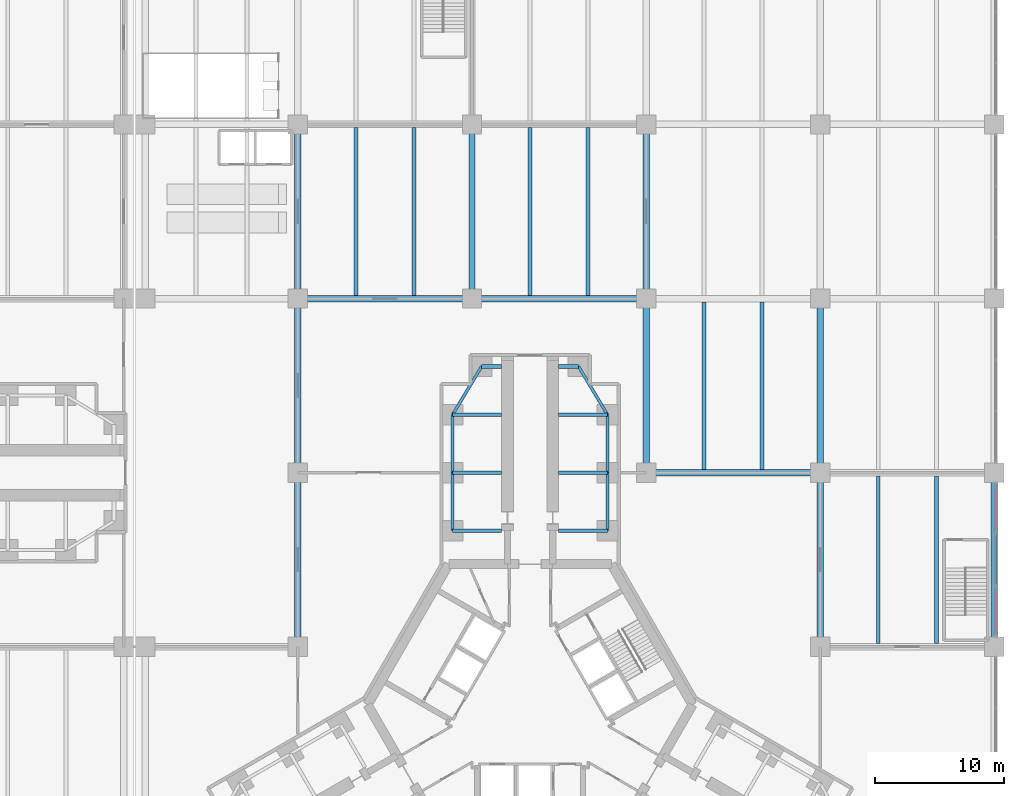
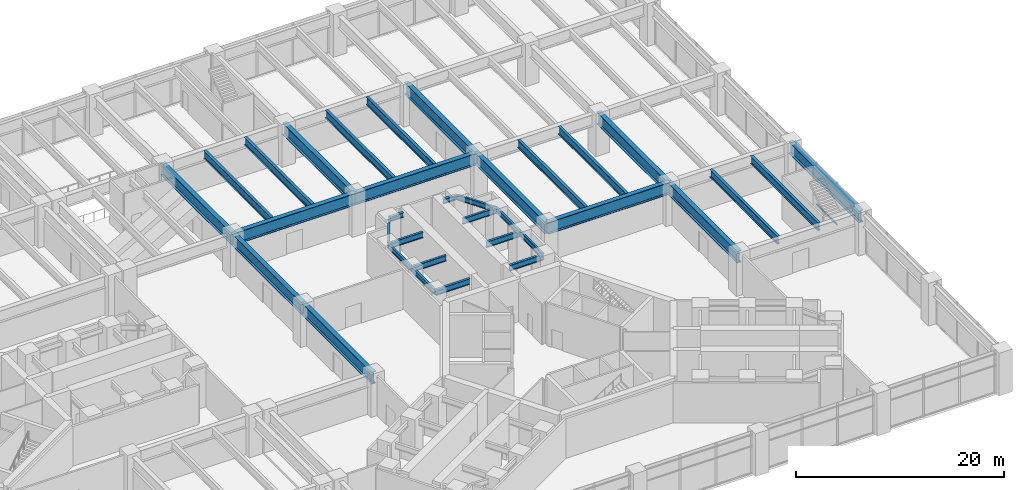
# One storey, part 11 of 32: 34 beams, 1 member, 1 element without a shape of its own.
"""IFC4 building model written with IfcOpenShell, lengths in metres."""

import ifcopenshell
import ifcopenshell.guid

model = None  # the IFC model being written
_history = None  # IfcOwnerHistory: only IFC2X3 demands one
_inside = {}  # id of a spatial element -> (the spatial element, [elements in it])
_under = {}  # id of a project, library or spatial element -> (it, [spatial elements below it])
_declared = {}  # id of a project -> (the project, [libraries it declares])
_typed = {}  # id of a type object -> (the type object, [elements of that type])
_made_of = {}  # id of a material, layer set ... -> (it, [elements and type objects made of it])


def new_model(schema):
    """Start an empty IFC model of exactly this schema.

    Asked for "IFC4X3", IfcOpenShell would pick the latest addendum, in which some entities
    have other attributes; the version numbers below select the first issue.
    IFC2X3 requires an IfcOwnerHistory on every rooted entity: one is made here for all.
    """
    global model, _history
    if schema == "IFC4X3":
        model = ifcopenshell.file(schema_version=(4, 3, 0, 0))
    else:
        model = ifcopenshell.file(schema=schema)
    _inside.clear()
    _under.clear()
    _declared.clear()
    _typed.clear()
    _made_of.clear()
    _history = None
    if model.schema == "IFC2X3":
        org = make("IfcOrganization", Name="unknown")
        user = make(
            "IfcPersonAndOrganization",
            ThePerson=make("IfcPerson", FamilyName="unknown"),
            TheOrganization=org,
        )
        app = make(
            "IfcApplication",
            ApplicationDeveloper=org,
            Version="unknown",
            ApplicationFullName="unknown",
            ApplicationIdentifier="unknown",
        )
        _history = make(
            "IfcOwnerHistory",
            OwningUser=user,
            OwningApplication=app,
            ChangeAction="ADDED",
            CreationDate=0,
        )
    return model


def make(cls, **values):
    """One entity of the class cls with the attributes given. An attribute that is None is left unset."""
    return model.create_entity(
        cls, **{name: value for name, value in values.items() if value is not None}
    )


def rooted(cls, **values):
    """An entity with a GlobalId (a new one), such as an element, a storey or a relation."""
    return make(cls, GlobalId=ifcopenshell.guid.new(), OwnerHistory=_history, **values)


def si_unit(unit_type, name, prefix=None):
    """IfcSIUnit, for example si_unit("LENGTHUNIT", "METRE", prefix="MILLI")."""
    return make("IfcSIUnit", UnitType=unit_type, Prefix=prefix, Name=name)


def assignment(units):
    """IfcUnitAssignment: the units of a project."""
    return None if units is None else make("IfcUnitAssignment", Units=units)


def point(xyz):
    """IfcCartesianPoint."""
    return None if xyz is None else make("IfcCartesianPoint", Coordinates=xyz)


def direction(xyz):
    """IfcDirection."""
    return None if xyz is None else make("IfcDirection", DirectionRatios=xyz)


def frame(location, z_axis=None, x_axis=None):
    """IfcAxis2Placement3D, a coordinate frame: its origin and axes. An axis left out is left unset."""
    return make(
        "IfcAxis2Placement3D",
        Location=point(location),
        Axis=direction(z_axis),
        RefDirection=direction(x_axis),
    )


def frame_2d(location, x_axis=None):
    """IfcAxis2Placement2D, a coordinate frame in the plane: its origin and x axis."""
    return make(
        "IfcAxis2Placement2D", Location=point(location), RefDirection=direction(x_axis)
    )


def origin():
    """The frame at (0, 0, 0) with its axes left unset."""
    return frame((0.0, 0.0, 0.0))


def origin_2d():
    """The frame at (0, 0) in the plane with its x axis left unset."""
    return frame_2d((0.0, 0.0))


def place(relative_to, where):
    """IfcLocalPlacement: puts the frame where relative to a parent placement (None: the world)."""
    return make(
        "IfcLocalPlacement", PlacementRelTo=relative_to, RelativePlacement=where
    )


def context(
    kind, dimensions, precision=None, world=None, true_north=None, identifier=None
):
    """IfcGeometricRepresentationContext, for example the 3D "Model" context."""
    return make(
        "IfcGeometricRepresentationContext",
        ContextIdentifier=identifier,
        ContextType=kind,
        CoordinateSpaceDimension=dimensions,
        Precision=precision,
        WorldCoordinateSystem=world,
        TrueNorth=true_north,
    )


def subcontext(parent, identifier, kind, view, scale=None):
    """IfcGeometricRepresentationSubContext, for example "Body" below "Model"."""
    return make(
        "IfcGeometricRepresentationSubContext",
        ContextIdentifier=identifier,
        ContextType=kind,
        ParentContext=parent,
        TargetScale=scale,
        TargetView=view,
    )


def project(units=None, contexts=None):
    """IfcProject with its units and contexts."""
    return rooted(
        "IfcProject",
        Name="project",
        RepresentationContexts=contexts,
        UnitsInContext=assignment(units),
    )


def spatial(cls, under=None, at=None, **own):
    """A site, building, storey or space (cls), placed at a placement, below another one or the project."""
    s = rooted(cls, ObjectPlacement=at, **own)
    if under is not None:
        _under.setdefault(under.id(), (under, []))[1].append(s)
    return s


def profile(cls, at=None, kind="AREA", **sizes):
    """A parametric profile (cls). Its sizes go by their IFC names, for example OverallWidth=200.0."""
    return make(cls, ProfileType=kind, Position=at, **sizes)


def rectangle(**sizes):
    """IfcRectangleProfileDef."""
    return profile("IfcRectangleProfileDef", **sizes)


def i_section(**sizes):
    """IfcIShapeProfileDef."""
    return profile("IfcIShapeProfileDef", **sizes)


def extrude(swept, where, along, depth):
    """IfcExtrudedAreaSolid: the profile swept, set in the frame where, extruded along a direction by depth."""
    return make(
        "IfcExtrudedAreaSolid",
        SweptArea=swept,
        Position=where,
        ExtrudedDirection=direction(along),
        Depth=depth,
    )


def shape(context_of_items, identifier, shape_type, items):
    """IfcShapeRepresentation: the items that make up one representation, for example the "Body"."""
    return make(
        "IfcShapeRepresentation",
        ContextOfItems=context_of_items,
        RepresentationIdentifier=identifier,
        RepresentationType=shape_type,
        Items=items,
    )


def material(Name=None, Category=None):
    """IfcMaterial."""
    return make("IfcMaterial", Name=Name, Category=Category)


def material_profile(
    of_material, cross_section, Name=None, Category=None, Priority=None
):
    """IfcMaterialProfile: a cross section and its material."""
    return make(
        "IfcMaterialProfile",
        Name=Name,
        Material=of_material,
        Profile=cross_section,
        Priority=Priority,
        Category=Category,
    )


def profile_set(profiles, Name=None, composite=None):
    """IfcMaterialProfileSet."""
    return make(
        "IfcMaterialProfileSet",
        Name=Name,
        MaterialProfiles=profiles,
        CompositeProfile=composite,
    )


def made_of(thing, what):
    """Note that an element or type object is made of a material, layer set ...; save() writes the relation."""
    if what is not None:
        _made_of.setdefault(what.id(), (what, []))[1].append(thing)
    return thing


def type_object(cls, material=None, **own):
    """A type object (cls), such as IfcWallType, which elements share."""
    return made_of(rooted(cls, **own), material)


def element(
    cls,
    number,
    at=None,
    inside=None,
    cuts=None,
    type_object=None,
    material=None,
    context=None,
    identifier="Body",
    shape_type=None,
    held_by="IfcProductDefinitionShape",
    body=None,
    shapes=None,
    **own,
):
    """One element of the class cls, such as IfcWall. Its Tag is "e" and its number.

    at: its placement. inside: the storey or other place that contains it. cuts: it is an
    opening in that element (IfcRelVoidsElement). A single representation is given by context,
    identifier, shape_type and body (its items); several are given by shapes. held_by: the class
    of the entity that holds the representations. save() writes the other relations.
    """
    e = rooted(cls, Tag="e%d" % number, ObjectPlacement=at, **own)
    if body is not None:
        shapes = [shape(context, identifier, shape_type, body)]
    if shapes is not None:
        e.Representation = make(held_by, Representations=shapes)
    if inside is not None:
        _inside.setdefault(inside.id(), (inside, []))[1].append(e)
    if cuts is not None:
        rooted(
            "IfcRelVoidsElement", RelatingBuildingElement=cuts, RelatedOpeningElement=e
        )
    if type_object is not None:
        _typed.setdefault(type_object.id(), (type_object, []))[1].append(e)
    return made_of(e, material)


def aggregate(whole, parts):
    """IfcRelAggregates: a whole, such as a stair, and the parts it consists of."""
    return rooted("IfcRelAggregates", RelatingObject=whole, RelatedObjects=parts)


def save(model, path):
    """Write the relations noted so far, then the file.

    IfcRelAggregates (storeys below a building ...), IfcRelContainedInSpatialStructure (elements
    in a storey), IfcRelDefinesByType, IfcRelAssociatesMaterial and IfcRelDeclares: one each for
    every whole, place, type object, material and project.
    """
    for whole, parts in _under.values():
        aggregate(whole, parts)
    for where, things in _inside.values():
        rooted(
            "IfcRelContainedInSpatialStructure",
            RelatedElements=things,
            RelatingStructure=where,
        )
    for kind, things in _typed.values():
        rooted("IfcRelDefinesByType", RelatedObjects=things, RelatingType=kind)
    for what, things in _made_of.values():
        rooted("IfcRelAssociatesMaterial", RelatedObjects=things, RelatingMaterial=what)
    for by, libraries in _declared.values():
        rooted("IfcRelDeclares", RelatingContext=by, RelatedDefinitions=libraries)
    model.write(path)


model = new_model("IFC4")

# Units and contexts
model_context = context("Model", 3, precision=1e-05, world=origin(), true_north=direction((0.0, 1.0)))
body_context = subcontext(model_context, "Body", "Model", "MODEL_VIEW")
ifc_project = project(units=[si_unit("LENGTHUNIT", "METRE"), si_unit("AREAUNIT", "SQUARE_METRE"), si_unit("VOLUMEUNIT", "CUBIC_METRE"), si_unit("PLANEANGLEUNIT", "RADIAN"), si_unit("MASSUNIT", "GRAM", prefix="KILO")], contexts=[model_context])

# Site, building, storey
site_placement = place(None, origin())
site = spatial("IfcSite", under=ifc_project, at=site_placement, CompositionType="ELEMENT")
building_placement = place(site_placement, origin())
building = spatial("IfcBuilding", under=site, at=building_placement, Name="Upepo Twin Towers", CompositionType="ELEMENT")
storey_placement = place(building_placement, frame((0.0, 0.0, 10.5)))
storey = spatial("IfcBuildingStorey", under=building, at=storey_placement, Name="L02", CompositionType="ELEMENT", Elevation=10.5)

# Beams
ifc_material_1 = material(Name="Steel S355", Category="steel")
ifc_material_profile_1 = material_profile(ifc_material_1, i_section(OverallWidth=0.5, OverallDepth=1.39990234375, WebThickness=0.02490234375, FlangeThickness=0.050048828125, FilletRadius=0.008056640625, at=origin_2d()), Name="PG 1400x500x25x50")
ifc_profile_set_1 = profile_set([ifc_material_profile_1], Name="Steel S355")
beam_type_1 = type_object("IfcBeamType", Name="Beam PG 1400x500x25x50", PredefinedType="BEAM", material=ifc_profile_set_1)
for number, where, z_axis, x_axis, name in (
    (1, (67.5, 0.0, 3.949951171875), (1.0, 0.0, 0.0), (0.0, 1.0, 0.0), "Podium girder D/8-9"),
    (2, (40.5, 13.5, 3.949951171875), (1.0, 0.0, 0.0), (0.0, 1.0, 0.0), "Podium girder E/6-7"),
    (3, (54.0, 13.5, 3.949951171875), (1.0, 0.0, 0.0), (0.0, 1.0, 0.0), "Podium girder E/7-8"),
    (4, (40.5, -13.5, 3.949951171875), (0.0, 1.0, 0.0), (-1.0, 0.0, 0.0), "Podium girder 6/C-D"),
    (5, (40.5, 0.0, 3.949951171875), (0.0, 1.0, 0.0), (-1.0, 0.0, 0.0), "Podium girder 6/D-E"),
    (6, (40.5, 13.5, 3.949951171875), (0.0, 1.0, 0.0), (-1.0, 0.0, 0.0), "Podium girder 6/E-F"),
    (7, (54.0, 13.5, 3.949951171875), (0.0, 1.0, 0.0), (-1.0, 0.0, 0.0), "Podium girder 7/E-F"),
    (8, (67.5, 0.0, 3.949951171875), (0.0, 1.0, 0.0), (-1.0, 0.0, 0.0), "Podium girder 8/D-E"),
    (9, (67.5, 13.5, 3.949951171875), (0.0, 1.0, 0.0), (-1.0, 0.0, 0.0), "Podium girder 8/E-F"),
    (10, (81.0, -13.5, 3.949951171875), (0.0, 1.0, 0.0), (-1.0, 0.0, 0.0), "Podium girder 9/C-D"),
    (11, (81.0, 0.0, 3.949951171875), (0.0, 1.0, 0.0), (-1.0, 0.0, 0.0), "Podium girder 9/D-E"),
    (12, (94.5, -13.5, 3.949951171875), (0.0, 1.0, 0.0), (-1.0, 0.0, 0.0), "Podium girder 10/C-D"),
):
    element("IfcBeam", number, at=place(storey_placement, frame(where, z_axis=z_axis, x_axis=x_axis)), inside=storey, type_object=beam_type_1, Name=name, PredefinedType="BEAM", context=body_context, shape_type="SweptSolid", body=[
        extrude(i_section(OverallWidth=0.5, OverallDepth=1.39990234375, WebThickness=0.02490234375, FlangeThickness=0.050048828125, FilletRadius=0.008056640625, at=origin_2d()), origin(), (0.0, 0.0, 1.0), 13.5),
    ])
ifc_material_2 = material(Name="Steel S355", Category="steel")
ifc_material_profile_2 = material_profile(ifc_material_2, i_section(OverallWidth=0.31201171875, OverallDepth=0.54345703125, WebThickness=0.0126953125, FlangeThickness=0.020263671875, FilletRadius=0.0126953125, at=origin_2d()), Name="UB 533x312x150")
ifc_profile_set_2 = profile_set([ifc_material_profile_2], Name="Steel S355")
beam_type_2 = type_object("IfcBeamType", Name="Beam UB 533x312x150", PredefinedType="BEAM", material=ifc_profile_set_2)
for number, where, z_axis, x_axis, name in (
    (13, (54.75, 8.25, 4.378173828125), (1.0, 0.0, 0.0), (0.0, 1.0, 0.0), "T2 nose beam AL"),
    (14, (62.25, 8.25, 4.378173828125), (-1.0, 0.0, 0.0), (0.0, -1.0, 0.0), "T2 nose beam AR"),
):
    element("IfcBeam", number, at=place(storey_placement, frame(where, z_axis=z_axis, x_axis=x_axis)), inside=storey, type_object=beam_type_2, Name=name, PredefinedType="BEAM", context=body_context, shape_type="SweptSolid", body=[
        extrude(i_section(OverallWidth=0.31201171875, OverallDepth=0.54345703125, WebThickness=0.0126953125, FlangeThickness=0.020263671875, FilletRadius=0.0126953125, at=origin_2d()), origin(), (0.0, 0.0, 1.0), 1.550048828125),
    ])
ifc_material_3 = material(Name="Steel S355", Category="steel")
ifc_material_profile_3 = material_profile(ifc_material_3, i_section(OverallWidth=0.228271484375, OverallDepth=0.607666015625, WebThickness=0.010986328125, FlangeThickness=0.017333984375, FilletRadius=0.0126953125, at=origin_2d()), Name="UB 610x229x113")
ifc_profile_set_3 = profile_set([ifc_material_profile_3], Name="Steel S355")
beam_type_3 = type_object("IfcBeamType", Name="Beam UB 610x229x113", PredefinedType="BEAM", material=ifc_profile_set_3)
for number, where, z_axis, x_axis, name in (
    (15, (52.5, -4.5, 4.34619140625), (0.0, 1.0, 0.0), (-1.0, 0.0, 0.0), "T2 edge beam AL 13.5-18.0"),
    (16, (52.5, 0.0, 4.34619140625), (0.0, 1.0, 0.0), (-1.0, 0.0, 0.0), "T2 edge beam AL 18.0-22.5"),
):
    element("IfcBeam", number, at=place(storey_placement, frame(where, z_axis=z_axis, x_axis=x_axis)), inside=storey, type_object=beam_type_3, Name=name, PredefinedType="BEAM", context=body_context, shape_type="SweptSolid", body=[
        extrude(i_section(OverallWidth=0.228271484375, OverallDepth=0.607666015625, WebThickness=0.010986328125, FlangeThickness=0.017333984375, FilletRadius=0.0126953125, at=origin_2d()), origin(), (0.0, 0.0, 1.0), 4.5),
    ])
beam_1_placement = place(storey_placement, frame((52.5, 4.5, 4.34619140625), z_axis=(0.514495755428, 0.857492925713, 0.0), x_axis=(-0.857492925713, 0.514495755428, 0.0)))
element("IfcBeam", 17, at=beam_1_placement, inside=storey, type_object=beam_type_3, Name="T2 nose edge beam AL", PredefinedType="BEAM", context=body_context, shape_type="SweptSolid", body=[
    extrude(i_section(OverallWidth=0.228271484375, OverallDepth=0.607666015625, WebThickness=0.010986328125, FlangeThickness=0.017333984375, FilletRadius=0.0126953125, at=origin_2d()), origin(), (0.0, 0.0, 1.0), 4.373291015625),
])
for number, where, z_axis, x_axis, name in (
    (18, (64.5, -4.5, 4.34619140625), (0.0, 1.0, 0.0), (-1.0, 0.0, 0.0), "T2 edge beam AR 13.5-18.0"),
    (19, (64.5, 0.0, 4.34619140625), (0.0, 1.0, 0.0), (-1.0, 0.0, 0.0), "T2 edge beam AR 18.0-22.5"),
):
    element("IfcBeam", number, at=place(storey_placement, frame(where, z_axis=z_axis, x_axis=x_axis)), inside=storey, type_object=beam_type_3, Name=name, PredefinedType="BEAM", context=body_context, shape_type="SweptSolid", body=[
        extrude(i_section(OverallWidth=0.228271484375, OverallDepth=0.607666015625, WebThickness=0.010986328125, FlangeThickness=0.017333984375, FilletRadius=0.0126953125, at=origin_2d()), origin(), (0.0, 0.0, 1.0), 4.5),
    ])
beam_2_placement = place(storey_placement, frame((64.5, 4.5, 4.34619140625), z_axis=(-0.514495755428, 0.857492925713, 0.0), x_axis=(-0.857492925713, -0.514495755428, 0.0)))
element("IfcBeam", 20, at=beam_2_placement, inside=storey, type_object=beam_type_3, Name="T2 nose edge beam AR", PredefinedType="BEAM", context=body_context, shape_type="SweptSolid", body=[
    extrude(i_section(OverallWidth=0.228271484375, OverallDepth=0.607666015625, WebThickness=0.010986328125, FlangeThickness=0.017333984375, FilletRadius=0.0126953125, at=origin_2d()), origin(), (0.0, 0.0, 1.0), 4.373291015625),
])
ifc_material_4 = material(Name="Steel S355", Category="steel")
ifc_material_profile_4 = material_profile(ifc_material_4, i_section(OverallWidth=0.253662109375, OverallDepth=0.68359375, WebThickness=0.012451171875, FlangeThickness=0.01904296875, FilletRadius=0.01513671875, at=origin_2d()), Name="UB 686x254x140")
ifc_profile_set_4 = profile_set([ifc_material_profile_4], Name="Steel S355")
beam_type_4 = type_object("IfcBeamType", Name="Beam UB 686x254x140", PredefinedType="BEAM", material=ifc_profile_set_4)
for number, where, z_axis, x_axis, name in (
    (21, (52.5, -4.5, 4.308349609375), (1.0, 0.0, 0.0), (0.0, 1.0, 0.0), "T2 girder AL at 13.5"),
    (22, (52.5, 0.0, 4.308349609375), (1.0, 0.0, 0.0), (0.0, 1.0, 0.0), "T2 girder AL at 18.0"),
    (23, (52.5, 4.5, 4.308349609375), (1.0, 0.0, 0.0), (0.0, 1.0, 0.0), "T2 girder AL at 22.5"),
    (24, (64.5, -4.5, 4.308349609375), (-1.0, 0.0, 0.0), (0.0, -1.0, 0.0), "T2 girder AR at 13.5"),
    (25, (64.5, 0.0, 4.308349609375), (-1.0, 0.0, 0.0), (0.0, -1.0, 0.0), "T2 girder AR at 18.0"),
    (26, (64.5, 4.5, 4.308349609375), (-1.0, 0.0, 0.0), (0.0, -1.0, 0.0), "T2 girder AR at 22.5"),
):
    element("IfcBeam", number, at=place(storey_placement, frame(where, z_axis=z_axis, x_axis=x_axis)), inside=storey, type_object=beam_type_4, Name=name, PredefinedType="BEAM", context=body_context, shape_type="SweptSolid", body=[
        extrude(i_section(OverallWidth=0.253662109375, OverallDepth=0.68359375, WebThickness=0.012451171875, FlangeThickness=0.01904296875, FilletRadius=0.01513671875, at=origin_2d()), origin(), (0.0, 0.0, 1.0), 3.800048828125),
    ])
ifc_material_5 = material(Name="Steel S355", Category="steel")
ifc_material_profile_5 = material_profile(ifc_material_5, i_section(OverallWidth=0.305419921875, OverallDepth=0.91845703125, WebThickness=0.017333984375, FlangeThickness=0.02783203125, FilletRadius=0.01904296875, at=origin_2d()), Name="UB 914x305x253")
ifc_profile_set_5 = profile_set([ifc_material_profile_5], Name="Steel S355")
beam_type_5 = type_object("IfcBeamType", Name="Secondary beam UB 914x305x253", PredefinedType="JOIST", material=ifc_profile_set_5)
for number, where, z_axis, x_axis, name in (
    (27, (45.0, 13.75, 4.19091796875), (0.0, 1.0, 0.0), (-1.0, 0.0, 0.0), "Podium secondary beam E6.1"),
    (28, (49.5, 13.75, 4.19091796875), (0.0, 1.0, 0.0), (-1.0, 0.0, 0.0), "Podium secondary beam E6.2"),
    (29, (58.5, 13.75, 4.19091796875), (0.0, 1.0, 0.0), (-1.0, 0.0, 0.0), "Podium secondary beam E7.1"),
    (30, (63.0, 13.75, 4.19091796875), (0.0, 1.0, 0.0), (-1.0, 0.0, 0.0), "Podium secondary beam E7.2"),
    (31, (72.0, 0.25, 4.19091796875), (0.0, 1.0, 0.0), (-1.0, 0.0, 0.0), "Podium secondary beam D8.1"),
    (32, (76.5, 0.25, 4.19091796875), (0.0, 1.0, 0.0), (-1.0, 0.0, 0.0), "Podium secondary beam D8.2"),
    (33, (85.5, -13.25, 4.19091796875), (0.0, 1.0, 0.0), (-1.0, 0.0, 0.0), "Podium secondary beam C9.1"),
    (34, (90.0, -13.25, 4.19091796875), (0.0, 1.0, 0.0), (-1.0, 0.0, 0.0), "Podium secondary beam C9.2"),
):
    element("IfcBeam", number, at=place(storey_placement, frame(where, z_axis=z_axis, x_axis=x_axis)), inside=storey, type_object=beam_type_5, Name=name, PredefinedType="JOIST", context=body_context, shape_type="SweptSolid", body=[
        extrude(i_section(OverallWidth=0.305419921875, OverallDepth=0.91845703125, WebThickness=0.017333984375, FlangeThickness=0.02783203125, FilletRadius=0.01904296875, at=origin_2d()), origin(), (0.0, 0.0, 1.0), 13.0),
    ])

# Curtain wall, member
ifc_material_6 = material(Name="Aluminium and clear glass", Category="aluminium")
curtain_wall_type = type_object("IfcCurtainWallType", Name="Podium curtain wall PW1", PredefinedType="NOTDEFINED", material=ifc_material_6)
curtain_wall_placement = place(storey_placement, origin())
curtain_wall = element("IfcCurtainWall", 35, at=curtain_wall_placement, inside=storey, type_object=curtain_wall_type, Name="Podium L02 curtain wall E3", PredefinedType="NOTDEFINED")
ifc_material_7 = material(Name="Aluminium transom", Category="aluminium")
ifc_material_profile_6 = material_profile(ifc_material_7, rectangle(XDim=0.06494140625, YDim=0.14990234375, at=origin_2d()), Name="TRANSOM 65x150 PODIUM")
ifc_profile_set_6 = profile_set([ifc_material_profile_6], Name="Aluminium transom")
member_type = type_object("IfcMemberType", Name="Transom 65x150 PW1", PredefinedType="USERDEFINED", material=ifc_profile_set_6)
member_placement = place(storey_placement, frame((94.60009765625, -8.705810546875, 0.074951171875), z_axis=(0.0, 1.0, 0.0), x_axis=(-1.0, 0.0, 0.0)))
member = element("IfcMember", 36, at=member_placement, type_object=member_type, Name="Podium L02 curtain wall E3 transom 2", ObjectType="TRANSOM", PredefinedType="USERDEFINED", context=body_context, shape_type="SweptSolid", body=[
    extrude(rectangle(XDim=0.06494140625, YDim=0.14990234375, at=origin_2d()), origin(), (0.0, 0.0, 1.0), 3.91162109375),
])
aggregate(curtain_wall, [member])

save(model, "model.ifc")
